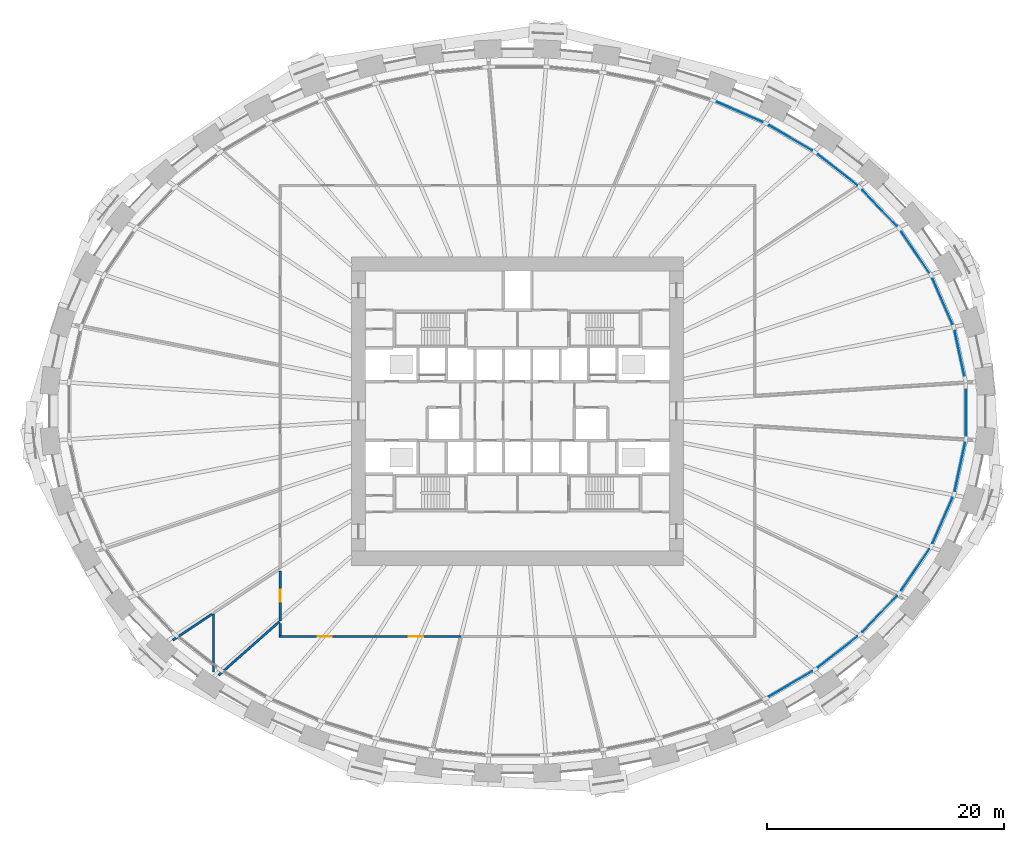
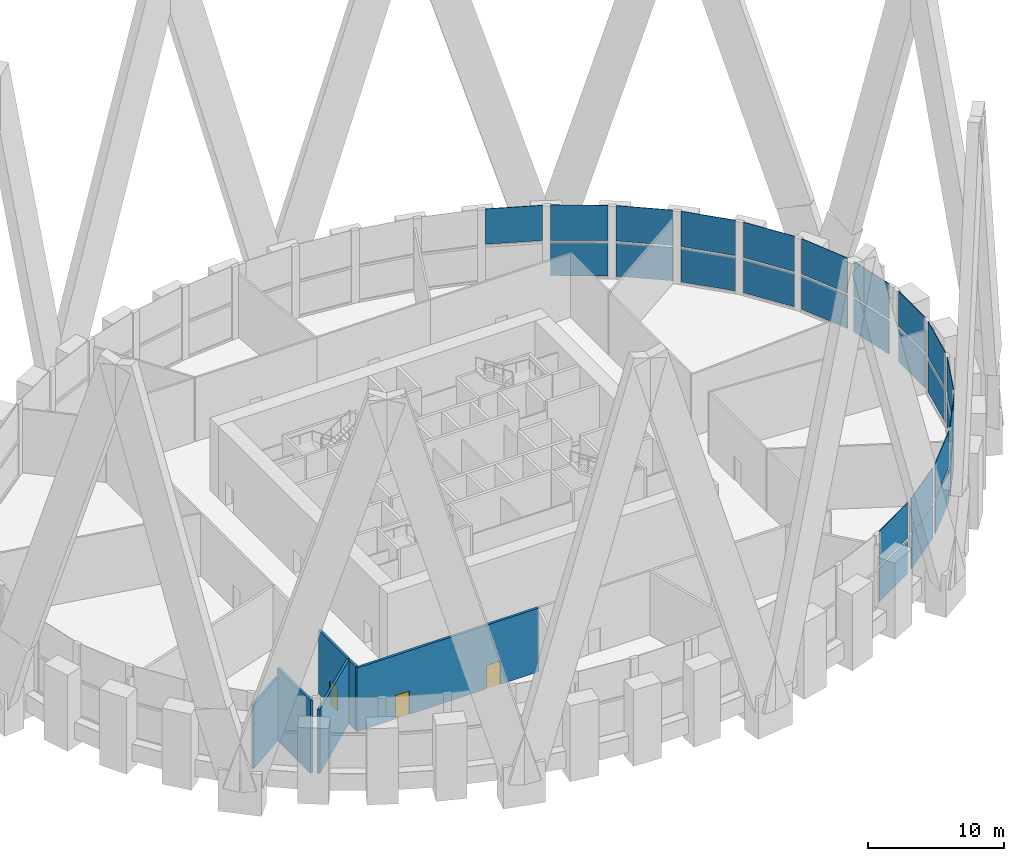
# One storey, part 8 of 17: 27 plates, 6 walls, 3 doors, 3 openings, 2 elements without a shape of their own.
"""IFC4 building model written with IfcOpenShell, lengths in metres."""

from ifc_helpers import new_model, si_unit, direction, frame, frame_2d, origin, origin_2d, place, context, subcontext, project, spatial, rectangle, extrude, source, transform, mapped, material, layer, layer_set, type_object, element, fill, aggregate, save


model = new_model("IFC4")

# Units and contexts
model_context = context("Model", 3, precision=1e-05, world=origin(), true_north=direction((0.0, 1.0)))
body_context = subcontext(model_context, "Body", "Model", "MODEL_VIEW")
ifc_project = project(units=[si_unit("LENGTHUNIT", "METRE"), si_unit("AREAUNIT", "SQUARE_METRE"), si_unit("VOLUMEUNIT", "CUBIC_METRE"), si_unit("PLANEANGLEUNIT", "RADIAN"), si_unit("MASSUNIT", "GRAM", prefix="KILO")], contexts=[model_context])

# Site, building, storey
site_placement = place(None, origin())
site = spatial("IfcSite", under=ifc_project, at=site_placement, CompositionType="ELEMENT")
building_placement = place(site_placement, origin())
building = spatial("IfcBuilding", under=site, at=building_placement, Name="Embergate Tower", CompositionType="ELEMENT")
storey_placement = place(building_placement, frame((0.0, 0.0, 125.0)))
storey = spatial("IfcBuildingStorey", under=building, at=storey_placement, Name="L27", CompositionType="ELEMENT", Elevation=125.0)

# Curtain wall, plates
ifc_material_1 = material(Name="Aluminium and glass", Category="aluminium")
curtain_wall_type = type_object("IfcCurtainWallType", Name="Sky lobby high glazing", PredefinedType="NOTDEFINED", material=ifc_material_1)
curtain_wall_1_placement = place(storey_placement, origin())
curtain_wall_1 = element("IfcCurtainWall", 1, at=curtain_wall_1_placement, inside=storey, type_object=curtain_wall_type, Name="Sky lobby high glazing run 1", ObjectType="SKY LOBBY HIGH GLAZING", PredefinedType="USERDEFINED")
ifc_material_2 = material(Name="Triple glazing, low-emissivity coating", Category="glass")
ifc_layer_1 = layer(ifc_material_2, 0.0439453125)
ifc_layer_set_1 = layer_set([ifc_layer_1], Name="Triple glazing, low-emissivity coating")
plate_type = type_object("IfcPlateType", Name="Sky lobby glazing unit", PredefinedType="CURTAIN_PANEL", material=ifc_layer_set_1)
shared_shape_1 = source(origin(), body_context, "Body", "SweptSolid", [
    extrude(rectangle(XDim=3.86474609375, YDim=0.0439453125, at=origin_2d()), origin(), (0.0, 0.0, 1.0), 2.97998046875),
])
plate_1_placement = place(storey_placement, frame((37.255615234375, 4.856689453125, 0.179931640625), z_axis=(0.0, 0.0, 1.0), x_axis=(-0.210401803698, 0.977614996305, 0.0)))
plate_1 = element("IfcPlate", 2, at=plate_1_placement, type_object=plate_type, Name="CW panel 1.1", PredefinedType="CURTAIN_PANEL", context=body_context, shape_type="MappedRepresentation", body=[
    mapped(shared_shape_1, transform((0.0, 0.0, 0.0))),
])
shared_shape_2 = source(origin(), body_context, "Body", "SweptSolid", [
    extrude(rectangle(XDim=3.86474609375, YDim=0.0439453125, at=origin_2d()), origin(), (0.0, 0.0, 1.0), 3.159912109375),
])
plate_2_placement = place(storey_placement, frame((37.255615234375, 4.856689453125, 3.33984375), z_axis=(0.0, 0.0, 1.0), x_axis=(-0.210401803698, 0.977614996305, 0.0)))
plate_2 = element("IfcPlate", 3, at=plate_2_placement, type_object=plate_type, Name="CW panel 1.2", PredefinedType="CURTAIN_PANEL", context=body_context, shape_type="MappedRepresentation", body=[
    mapped(shared_shape_2, transform((0.0, 0.0, 0.0))),
])
shared_shape_3 = source(origin(), body_context, "Body", "SweptSolid", [
    extrude(rectangle(XDim=4.172607421875, YDim=0.0439453125, at=origin_2d()), origin(), (0.0, 0.0, 1.0), 2.97998046875),
])
plate_3_placement = place(storey_placement, frame((35.827392578125, 9.224365234375, 0.179931640625), z_axis=(0.0, 0.0, 1.0), x_axis=(-0.401658494584, 0.915789524797, 0.0)))
plate_3 = element("IfcPlate", 4, at=plate_3_placement, type_object=plate_type, Name="CW panel 2.1", PredefinedType="CURTAIN_PANEL", context=body_context, shape_type="MappedRepresentation", body=[
    mapped(shared_shape_3, transform((0.0, 0.0, 0.0))),
])

# Curtain wall, plate
curtain_wall_2_placement = place(storey_placement, origin())
curtain_wall_2 = element("IfcCurtainWall", 5, at=curtain_wall_2_placement, inside=storey, type_object=curtain_wall_type, Name="Sky lobby high glazing run 4", ObjectType="SKY LOBBY HIGH GLAZING", PredefinedType="USERDEFINED")
plate_4_placement = place(storey_placement, frame((35.827392578125, -9.224365234375, 0.179931640625), z_axis=(0.0, 0.0, 1.0), x_axis=(0.401658494584, 0.915789524797, 0.0)))
plate_4 = element("IfcPlate", 6, at=plate_4_placement, type_object=plate_type, Name="CW panel 9.1", PredefinedType="CURTAIN_PANEL", context=body_context, shape_type="MappedRepresentation", body=[
    mapped(shared_shape_3, transform((0.0, 0.0, 0.0))),
])

# Plate
shared_shape_4 = source(origin(), body_context, "Body", "SweptSolid", [
    extrude(rectangle(XDim=4.172607421875, YDim=0.0439453125, at=origin_2d()), origin(), (0.0, 0.0, 1.0), 3.159912109375),
])
plate_5_placement = place(storey_placement, frame((35.827392578125, 9.224365234375, 3.33984375), z_axis=(0.0, 0.0, 1.0), x_axis=(-0.401658494584, 0.915789524797, 0.0)))
plate_5 = element("IfcPlate", 7, at=plate_5_placement, type_object=plate_type, Name="CW panel 2.2", PredefinedType="CURTAIN_PANEL", context=body_context, shape_type="MappedRepresentation", body=[
    mapped(shared_shape_4, transform((0.0, 0.0, 0.0))),
])

plate_6_placement = place(storey_placement, frame((35.827392578125, -9.224365234375, 3.33984375), z_axis=(0.0, 0.0, 1.0), x_axis=(0.401658494584, 0.915789524797, 0.0)))
plate_6 = element("IfcPlate", 8, at=plate_6_placement, type_object=plate_type, Name="CW panel 9.2", PredefinedType="CURTAIN_PANEL", context=body_context, shape_type="MappedRepresentation", body=[
    mapped(shared_shape_4, transform((0.0, 0.0, 0.0))),
])

shared_shape_5 = source(origin(), body_context, "Body", "SweptSolid", [
    extrude(rectangle(XDim=4.1826171875, YDim=0.0439453125, at=origin_2d()), origin(), (0.0, 0.0, 1.0), 2.97998046875),
])
plate_7_placement = place(storey_placement, frame((33.524169921875, 13.38720703125, 0.179931640625), z_axis=(0.0, 0.0, 1.0), x_axis=(-0.562347514787, 0.826901005328, 0.0)))
plate_7 = element("IfcPlate", 9, at=plate_7_placement, type_object=plate_type, Name="CW panel 3.1", PredefinedType="CURTAIN_PANEL", context=body_context, shape_type="MappedRepresentation", body=[
    mapped(shared_shape_5, transform((0.0, 0.0, 0.0))),
])

plate_8_placement = place(storey_placement, frame((33.524169921875, -13.38720703125, 0.179931640625), z_axis=(0.0, 0.0, 1.0), x_axis=(0.562347514787, 0.826901005328, 0.0)))
plate_8 = element("IfcPlate", 10, at=plate_8_placement, type_object=plate_type, Name="CW panel 8.1", PredefinedType="CURTAIN_PANEL", context=body_context, shape_type="MappedRepresentation", body=[
    mapped(shared_shape_5, transform((0.0, 0.0, 0.0))),
])

shared_shape_6 = source(origin(), body_context, "Body", "SweptSolid", [
    extrude(rectangle(XDim=4.1826171875, YDim=0.0439453125, at=origin_2d()), origin(), (0.0, 0.0, 1.0), 3.159912109375),
])
plate_9_placement = place(storey_placement, frame((33.524169921875, 13.38720703125, 3.33984375), z_axis=(0.0, 0.0, 1.0), x_axis=(-0.562347514787, 0.826901005328, 0.0)))
plate_9 = element("IfcPlate", 11, at=plate_9_placement, type_object=plate_type, Name="CW panel 3.2", PredefinedType="CURTAIN_PANEL", context=body_context, shape_type="MappedRepresentation", body=[
    mapped(shared_shape_6, transform((0.0, 0.0, 0.0))),
])

plate_10_placement = place(storey_placement, frame((33.524169921875, -13.38720703125, 3.33984375), z_axis=(0.0, 0.0, 1.0), x_axis=(0.562347514787, 0.826901005328, 0.0)))
plate_10 = element("IfcPlate", 12, at=plate_10_placement, type_object=plate_type, Name="CW panel 8.2", PredefinedType="CURTAIN_PANEL", context=body_context, shape_type="MappedRepresentation", body=[
    mapped(shared_shape_6, transform((0.0, 0.0, 0.0))),
])

shared_shape_7 = source(origin(), body_context, "Body", "SweptSolid", [
    extrude(rectangle(XDim=4.1923828125, YDim=0.0439453125, at=origin_2d()), origin(), (0.0, 0.0, 1.0), 2.97998046875),
])
plate_11_placement = place(storey_placement, frame((30.525634765625, 17.0986328125, 0.179931640625), z_axis=(0.0, 0.0, 1.0), x_axis=(-0.6901388367, 0.723676990154, 0.0)))
plate_11 = element("IfcPlate", 13, at=plate_11_placement, type_object=plate_type, Name="CW panel 4.1", PredefinedType="CURTAIN_PANEL", context=body_context, shape_type="MappedRepresentation", body=[
    mapped(shared_shape_7, transform((0.0, 0.0, 0.0))),
])

plate_12_placement = place(storey_placement, frame((30.525634765625, -17.0986328125, 0.179931640625), z_axis=(0.0, 0.0, 1.0), x_axis=(0.6901388367, 0.723676990154, 0.0)))
plate_12 = element("IfcPlate", 14, at=plate_12_placement, type_object=plate_type, Name="CW panel 7.1", PredefinedType="CURTAIN_PANEL", context=body_context, shape_type="MappedRepresentation", body=[
    mapped(shared_shape_7, transform((0.0, 0.0, 0.0))),
])

shared_shape_8 = source(origin(), body_context, "Body", "SweptSolid", [
    extrude(rectangle(XDim=4.1923828125, YDim=0.0439453125, at=origin_2d()), origin(), (0.0, 0.0, 1.0), 3.159912109375),
])
plate_13_placement = place(storey_placement, frame((30.525634765625, 17.0986328125, 3.33984375), z_axis=(0.0, 0.0, 1.0), x_axis=(-0.6901388367, 0.723676990154, 0.0)))
plate_13 = element("IfcPlate", 15, at=plate_13_placement, type_object=plate_type, Name="CW panel 4.2", PredefinedType="CURTAIN_PANEL", context=body_context, shape_type="MappedRepresentation", body=[
    mapped(shared_shape_8, transform((0.0, 0.0, 0.0))),
])

plate_14_placement = place(storey_placement, frame((30.525634765625, -17.0986328125, 3.33984375), z_axis=(0.0, 0.0, 1.0), x_axis=(0.6901388367, 0.723676990154, 0.0)))
plate_14 = element("IfcPlate", 16, at=plate_14_placement, type_object=plate_type, Name="CW panel 7.2", PredefinedType="CURTAIN_PANEL", context=body_context, shape_type="MappedRepresentation", body=[
    mapped(shared_shape_8, transform((0.0, 0.0, 0.0))),
])

shared_shape_9 = source(origin(), body_context, "Body", "SweptSolid", [
    extrude(rectangle(XDim=4.201171875, YDim=0.0439453125, at=origin_2d()), origin(), (0.0, 0.0, 1.0), 2.97998046875),
])
plate_15_placement = place(storey_placement, frame((26.9794921875, 20.309814453125, 0.179931640625), z_axis=(0.0, 0.0, 1.0), x_axis=(-0.788323340765, 0.615261172515, 0.0)))
plate_15 = element("IfcPlate", 17, at=plate_15_placement, type_object=plate_type, Name="CW panel 5.1", PredefinedType="CURTAIN_PANEL", context=body_context, shape_type="MappedRepresentation", body=[
    mapped(shared_shape_9, transform((0.0, 0.0, 0.0))),
])

plate_16_placement = place(storey_placement, frame((26.9794921875, -20.309814453125, 0.179931640625), z_axis=(0.0, 0.0, 1.0), x_axis=(0.788323340765, 0.615261172515, 0.0)))
plate_16 = element("IfcPlate", 18, at=plate_16_placement, type_object=plate_type, Name="CW panel 6.1", PredefinedType="CURTAIN_PANEL", context=body_context, shape_type="MappedRepresentation", body=[
    mapped(shared_shape_9, transform((0.0, 0.0, 0.0))),
])

shared_shape_10 = source(origin(), body_context, "Body", "SweptSolid", [
    extrude(rectangle(XDim=4.201171875, YDim=0.0439453125, at=origin_2d()), origin(), (0.0, 0.0, 1.0), 3.159912109375),
])
plate_17_placement = place(storey_placement, frame((26.9794921875, 20.309814453125, 3.33984375), z_axis=(0.0, 0.0, 1.0), x_axis=(-0.788323340765, 0.615261172515, 0.0)))
plate_17 = element("IfcPlate", 19, at=plate_17_placement, type_object=plate_type, Name="CW panel 5.2", PredefinedType="CURTAIN_PANEL", context=body_context, shape_type="MappedRepresentation", body=[
    mapped(shared_shape_10, transform((0.0, 0.0, 0.0))),
])

plate_18_placement = place(storey_placement, frame((26.9794921875, -20.309814453125, 3.33984375), z_axis=(0.0, 0.0, 1.0), x_axis=(0.788323340765, 0.615261172515, 0.0)))
plate_18 = element("IfcPlate", 20, at=plate_18_placement, type_object=plate_type, Name="CW panel 6.2", PredefinedType="CURTAIN_PANEL", context=body_context, shape_type="MappedRepresentation", body=[
    mapped(shared_shape_10, transform((0.0, 0.0, 0.0))),
])

shared_shape_11 = source(origin(), body_context, "Body", "SweptSolid", [
    extrude(rectangle(XDim=4.2080078125, YDim=0.0439453125, at=origin_2d()), origin(), (0.0, 0.0, 1.0), 2.97998046875),
])
plate_19_placement = place(storey_placement, frame((23.014892578125, 23.0048828125, 0.179931640625), z_axis=(0.0, 0.0, 1.0), x_axis=(-0.862054936934, 0.506814843614, 0.0)))
plate_19 = element("IfcPlate", 21, at=plate_19_placement, type_object=plate_type, Name="CW panel 6.1", PredefinedType="CURTAIN_PANEL", context=body_context, shape_type="MappedRepresentation", body=[
    mapped(shared_shape_11, transform((0.0, 0.0, 0.0))),
])

plate_20_placement = place(storey_placement, frame((23.014892578125, -23.0048828125, 0.179931640625), z_axis=(0.0, 0.0, 1.0), x_axis=(0.862054936934, 0.506814843614, 0.0)))
plate_20 = element("IfcPlate", 22, at=plate_20_placement, type_object=plate_type, Name="CW panel 5.1", PredefinedType="CURTAIN_PANEL", context=body_context, shape_type="MappedRepresentation", body=[
    mapped(shared_shape_11, transform((0.0, 0.0, 0.0))),
])

shared_shape_12 = source(origin(), body_context, "Body", "SweptSolid", [
    extrude(rectangle(XDim=4.2080078125, YDim=0.0439453125, at=origin_2d()), origin(), (0.0, 0.0, 1.0), 3.159912109375),
])
plate_21_placement = place(storey_placement, frame((23.014892578125, 23.0048828125, 3.33984375), z_axis=(0.0, 0.0, 1.0), x_axis=(-0.862054936934, 0.506814843614, 0.0)))
plate_21 = element("IfcPlate", 23, at=plate_21_placement, type_object=plate_type, Name="CW panel 6.2", PredefinedType="CURTAIN_PANEL", context=body_context, shape_type="MappedRepresentation", body=[
    mapped(shared_shape_12, transform((0.0, 0.0, 0.0))),
])

plate_22_placement = place(storey_placement, frame((23.014892578125, -23.0048828125, 3.33984375), z_axis=(0.0, 0.0, 1.0), x_axis=(0.862054936934, 0.506814843614, 0.0)))
plate_22 = element("IfcPlate", 24, at=plate_22_placement, type_object=plate_type, Name="CW panel 5.2", PredefinedType="CURTAIN_PANEL", context=body_context, shape_type="MappedRepresentation", body=[
    mapped(shared_shape_12, transform((0.0, 0.0, 0.0))),
])

shared_shape_13 = source(origin(), body_context, "Body", "SweptSolid", [
    extrude(rectangle(XDim=4.213134765625, YDim=0.0439453125, at=origin_2d()), origin(), (0.0, 0.0, 1.0), 3.159912109375),
])
plate_23_placement = place(storey_placement, frame((18.737548828125, 25.1875, 3.33984375), z_axis=(0.0, 0.0, 1.0), x_axis=(-0.916237610228, 0.400635297502, 0.0)))
plate_23 = element("IfcPlate", 25, at=plate_23_placement, type_object=plate_type, Name="CW panel 7.2", PredefinedType="CURTAIN_PANEL", context=body_context, shape_type="MappedRepresentation", body=[
    mapped(shared_shape_13, transform((0.0, 0.0, 0.0))),
])

aggregate(curtain_wall_1, [plate_1, plate_2, plate_3, plate_5, plate_7, plate_9, plate_11, plate_13, plate_15, plate_17, plate_19, plate_21, plate_23])

shared_shape_14 = source(origin(), body_context, "Body", "SweptSolid", [
    extrude(rectangle(XDim=4.164794921875, YDim=0.0439453125, at=origin_2d()), origin(), (0.0, 0.0, 1.0), 2.97998046875),
])
plate_24_placement = place(storey_placement, frame((37.287109375, -4.7099609375, 0.179931640625), z_axis=(0.0, 0.0, 1.0), x_axis=(0.210401803698, 0.977614996305, 0.0)))
plate_24 = element("IfcPlate", 26, at=plate_24_placement, type_object=plate_type, Name="CW panel 10.1", PredefinedType="CURTAIN_PANEL", context=body_context, shape_type="MappedRepresentation", body=[
    mapped(shared_shape_14, transform((0.0, 0.0, 0.0))),
])

shared_shape_15 = source(origin(), body_context, "Body", "SweptSolid", [
    extrude(rectangle(XDim=4.164794921875, YDim=0.0439453125, at=origin_2d()), origin(), (0.0, 0.0, 1.0), 3.159912109375),
])
plate_25_placement = place(storey_placement, frame((37.287109375, -4.7099609375, 3.33984375), z_axis=(0.0, 0.0, 1.0), x_axis=(0.210401803698, 0.977614996305, 0.0)))
plate_25 = element("IfcPlate", 27, at=plate_25_placement, type_object=plate_type, Name="CW panel 10.2", PredefinedType="CURTAIN_PANEL", context=body_context, shape_type="MappedRepresentation", body=[
    mapped(shared_shape_15, transform((0.0, 0.0, 0.0))),
])

shared_shape_16 = source(origin(), body_context, "Body", "SweptSolid", [
    extrude(rectangle(XDim=3.86181640625, YDim=0.0439453125, at=origin_2d()), origin(), (0.0, 0.0, 1.0), 2.97998046875),
])
plate_26_placement = place(storey_placement, frame((37.788330078125, -0.14990234375, 0.179931640625), z_axis=(0.0, 0.0, 1.0), x_axis=(0.0, 1.0, 0.0)))
plate_26 = element("IfcPlate", 28, at=plate_26_placement, type_object=plate_type, Name="CW panel 11.1", PredefinedType="CURTAIN_PANEL", context=body_context, shape_type="MappedRepresentation", body=[
    mapped(shared_shape_16, transform((0.0, 0.0, 0.0))),
])

shared_shape_17 = source(origin(), body_context, "Body", "SweptSolid", [
    extrude(rectangle(XDim=3.86181640625, YDim=0.0439453125, at=origin_2d()), origin(), (0.0, 0.0, 1.0), 3.159912109375),
])
plate_27_placement = place(storey_placement, frame((37.788330078125, -0.14990234375, 3.33984375), z_axis=(0.0, 0.0, 1.0), x_axis=(0.0, 1.0, 0.0)))
plate_27 = element("IfcPlate", 29, at=plate_27_placement, type_object=plate_type, Name="CW panel 11.2", PredefinedType="CURTAIN_PANEL", context=body_context, shape_type="MappedRepresentation", body=[
    mapped(shared_shape_17, transform((0.0, 0.0, 0.0))),
])

aggregate(curtain_wall_2, [plate_20, plate_22, plate_16, plate_18, plate_12, plate_14, plate_8, plate_10, plate_4, plate_6, plate_24, plate_25, plate_26, plate_27])

# Walls
ifc_material_3 = material(Name="Blockwork, plastered", Category="masonry")
ifc_layer_2 = layer(ifc_material_3, 0.199951171875)
ifc_layer_set_2 = layer_set([ifc_layer_2], Name="Blockwork, plastered")
wall_type_1 = type_object("IfcWallType", Name="Partition wall 200 block", PredefinedType="PARTITIONING", material=ifc_layer_set_2)
shared_shape_18 = source(origin(), body_context, "Body", "SweptSolid", [
    extrude(rectangle(XDim=4.869140625, YDim=0.199951171875, at=frame_2d((2.4345703125, 0.0))), origin(), (0.0, 0.0, 1.0), 6.5),
])
wall_1_placement = place(storey_placement, frame((-25.616943359375, -21.9951171875, 0.0), z_axis=(0.0, 0.0, 1.0), x_axis=(0.0, 1.0, 0.0)))
element("IfcWall", 30, at=wall_1_placement, inside=storey, type_object=wall_type_1, Name="Partition 001", PredefinedType="PARTITIONING", context=body_context, shape_type="MappedRepresentation", body=[
    mapped(shared_shape_18, transform((0.0, 0.0, 0.0))),
])
shared_shape_19 = source(origin(), body_context, "Body", "SweptSolid", [
    extrude(rectangle(XDim=3.959716796875, YDim=0.199951171875, at=frame_2d((1.97998046875, 0.0))), origin(), (0.0, 0.0, 1.0), 5.699951171875),
])
wall_2_placement = place(storey_placement, frame((-25.759033203125, -17.1201171875, 0.0), z_axis=(0.0, 0.0, 1.0), x_axis=(-0.832827270006, -0.553532960476, 0.0)))
element("IfcWall", 31, at=wall_2_placement, inside=storey, type_object=wall_type_1, Name="Partition 002", PredefinedType="PARTITIONING", context=body_context, shape_type="MappedRepresentation", body=[
    mapped(shared_shape_19, transform((0.0, 0.0, 0.0))),
])
ifc_layer_3 = layer(ifc_material_3, 0.199951171875)
ifc_layer_set_3 = layer_set([ifc_layer_3], Name="Blockwork, plastered")
wall_type_2 = type_object("IfcWallType", Name="Fire partition wall 200 block", PredefinedType="PARTITIONING", material=ifc_layer_set_3)
shared_shape_20 = source(origin(), body_context, "Body", "SweptSolid", [
    extrude(rectangle(XDim=1.0048828125, YDim=0.199951171875, at=frame_2d((0.50244140625, 0.0))), origin(), (0.0, 0.0, 1.0), 5.699951171875),
])
wall_3_placement = place(storey_placement, frame((-20.0, -18.89990234375, 0.0), z_axis=(0.0, 0.0, 1.0), x_axis=(0.0, 1.0, 0.0)))
element("IfcWall", 32, at=wall_3_placement, inside=storey, type_object=wall_type_2, Name="Partition 003", PredefinedType="PARTITIONING", context=body_context, shape_type="MappedRepresentation", body=[
    mapped(shared_shape_20, transform((0.0, 0.0, 0.0))),
])
shared_shape_21 = source(origin(), body_context, "Body", "SweptSolid", [
    extrude(rectangle(XDim=6.835205078125, YDim=0.199951171875, at=frame_2d((3.41748046875, 0.0))), origin(), (0.0, 0.0, 1.0), 5.699951171875),
])
wall_4_placement = place(storey_placement, frame((-20.074951171875, -17.7509765625, 0.0), z_axis=(0.0, 0.0, 1.0), x_axis=(-0.749087911676, -0.66247060356, 0.0)))
element("IfcWall", 33, at=wall_4_placement, inside=storey, type_object=wall_type_2, Name="Partition 004", PredefinedType="PARTITIONING", context=body_context, shape_type="MappedRepresentation", body=[
    mapped(shared_shape_21, transform((0.0, 0.0, 0.0))),
])

# Wall, opening, door
shared_shape_22 = source(origin(), body_context, "Body", "SweptSolid", [
    extrude(rectangle(XDim=4.22314453125, YDim=0.199951171875, at=frame_2d((2.111572265625, 0.0))), origin(), (0.0, 0.0, 1.0), 5.699951171875),
])
wall_5_placement = place(storey_placement, frame((-20.0, -17.68505859375, 0.0), z_axis=(0.0, 0.0, 1.0), x_axis=(0.0, 1.0, 0.0)))
wall_5 = element("IfcWall", 34, at=wall_5_placement, inside=storey, type_object=wall_type_1, Name="Partition 005", PredefinedType="PARTITIONING", context=body_context, shape_type="MappedRepresentation", body=[
    mapped(shared_shape_22, transform((0.0, 0.0, 0.0))),
])
shared_shape_23 = source(origin(), body_context, "Body", "SweptSolid", [
    extrude(rectangle(XDim=1.0, YDim=2.10009765625, at=frame_2d((0.5, 1.050048828125))), frame((0.0, 0.10986328125, 0.0), z_axis=(0.0, -1.0, 0.0), x_axis=(1.0, 0.0, 0.0)), (0.0, 0.0, 1.0), 0.219970703125),
])
opening_1_placement = place(wall_5_placement, frame((1.611083984375, 0.0, 0.0)))
opening_1 = element("IfcOpeningElement", 35, at=opening_1_placement, cuts=wall_5, Name="Opening DS-112", PredefinedType="OPENING", context=body_context, shape_type="MappedRepresentation", body=[
    mapped(shared_shape_23, transform((0.0, 0.0, 0.0))),
])
ifc_material_4 = material(Name="Timber door leaf, steel frame", Category="steel")
door_type_1 = type_object("IfcDoorType", Name="Single door 1000x2100", OperationType="SINGLE_SWING_LEFT", PredefinedType="DOOR", material=ifc_material_4)
shared_shape_24 = source(origin(), body_context, "Body", "SweptSolid", [
    extrude(rectangle(XDim=1.0, YDim=2.10009765625, at=frame_2d((0.5, 1.050048828125))), frame((0.0, 0.02490234375, 0.0), z_axis=(0.0, -1.0, 0.0), x_axis=(1.0, 0.0, 0.0)), (0.0, 0.0, 1.0), 0.050048828125),
])
door_1_placement = place(opening_1_placement, origin())
door_1 = element("IfcDoor", 36, at=door_1_placement, inside=storey, type_object=door_type_1, Name="Door to Accessible WC", OperationType="SINGLE_SWING_LEFT", OverallHeight=2.10009765625, OverallWidth=1.0, PredefinedType="DOOR", context=body_context, shape_type="MappedRepresentation", body=[
    mapped(shared_shape_24, transform((0.0, 0.0, 0.0))),
])
fill(opening_1, door_1)

# Wall, openings, doors
shared_shape_25 = source(origin(), body_context, "Body", "SweptSolid", [
    extrude(rectangle(XDim=15.378173828125, YDim=0.199951171875, at=frame_2d((7.68896484375, 0.0))), origin(), (0.0, 0.0, 1.0), 5.699951171875),
])
wall_6_placement = place(storey_placement, frame((-4.721923828125, -19.0, 0.0), z_axis=(0.0, 0.0, 1.0), x_axis=(-1.0, 0.0, 0.0)))
wall_6 = element("IfcWall", 37, at=wall_6_placement, inside=storey, type_object=wall_type_2, Name="Partition 017", PredefinedType="PARTITIONING", context=body_context, shape_type="MappedRepresentation", body=[
    mapped(shared_shape_25, transform((0.0, 0.0, 0.0))),
])
shared_shape_26 = source(origin(), body_context, "Body", "SweptSolid", [
    extrude(rectangle(XDim=1.199951171875, YDim=2.10009765625, at=frame_2d((0.60009765625, 1.050048828125))), frame((0.0, 0.10986328125, 0.0), z_axis=(0.0, -1.0, 0.0), x_axis=(1.0, 0.0, 0.0)), (0.0, 0.0, 1.0), 0.219970703125),
])
opening_2_placement = place(wall_6_placement, frame((3.243896484375, 0.0, 0.0)))
opening_2 = element("IfcOpeningElement", 38, at=opening_2_placement, cuts=wall_6, Name="Opening DS-113", PredefinedType="OPENING", context=body_context, shape_type="MappedRepresentation", body=[
    mapped(shared_shape_26, transform((0.0, 0.0, 0.0))),
])
opening_3_placement = place(wall_6_placement, frame((10.93310546875, 0.0, 0.0)))
opening_3 = element("IfcOpeningElement", 39, at=opening_3_placement, cuts=wall_6, Name="Opening DS-114", PredefinedType="OPENING", context=body_context, shape_type="MappedRepresentation", body=[
    mapped(shared_shape_26, transform((0.0, 0.0, 0.0))),
])
door_type_2 = type_object("IfcDoorType", Name="Plant door 1200x2100", OperationType="SINGLE_SWING_LEFT", PredefinedType="DOOR", material=ifc_material_4)
shared_shape_27 = source(origin(), body_context, "Body", "SweptSolid", [
    extrude(rectangle(XDim=1.199951171875, YDim=2.10009765625, at=frame_2d((0.60009765625, 1.050048828125))), frame((0.0, 0.02490234375, 0.0), z_axis=(0.0, -1.0, 0.0), x_axis=(1.0, 0.0, 0.0)), (0.0, 0.0, 1.0), 0.050048828125),
])
door_2_placement = place(opening_2_placement, origin())
door_2 = element("IfcDoor", 40, at=door_2_placement, inside=storey, type_object=door_type_2, Name="Door to Sky lobby waiting area", OperationType="SINGLE_SWING_LEFT", OverallHeight=2.10009765625, OverallWidth=1.199951171875, PredefinedType="DOOR", context=body_context, shape_type="MappedRepresentation", body=[
    mapped(shared_shape_27, transform((0.0, 0.0, 0.0))),
])
fill(opening_2, door_2)
door_3_placement = place(opening_3_placement, origin())
door_3 = element("IfcDoor", 41, at=door_3_placement, inside=storey, type_object=door_type_2, Name="Door to Sky lobby waiting area", OperationType="SINGLE_SWING_LEFT", OverallHeight=2.10009765625, OverallWidth=1.199951171875, PredefinedType="DOOR", context=body_context, shape_type="MappedRepresentation", body=[
    mapped(shared_shape_27, transform((0.0, 0.0, 0.0))),
])
fill(opening_3, door_3)

save(model, "model.ifc")
